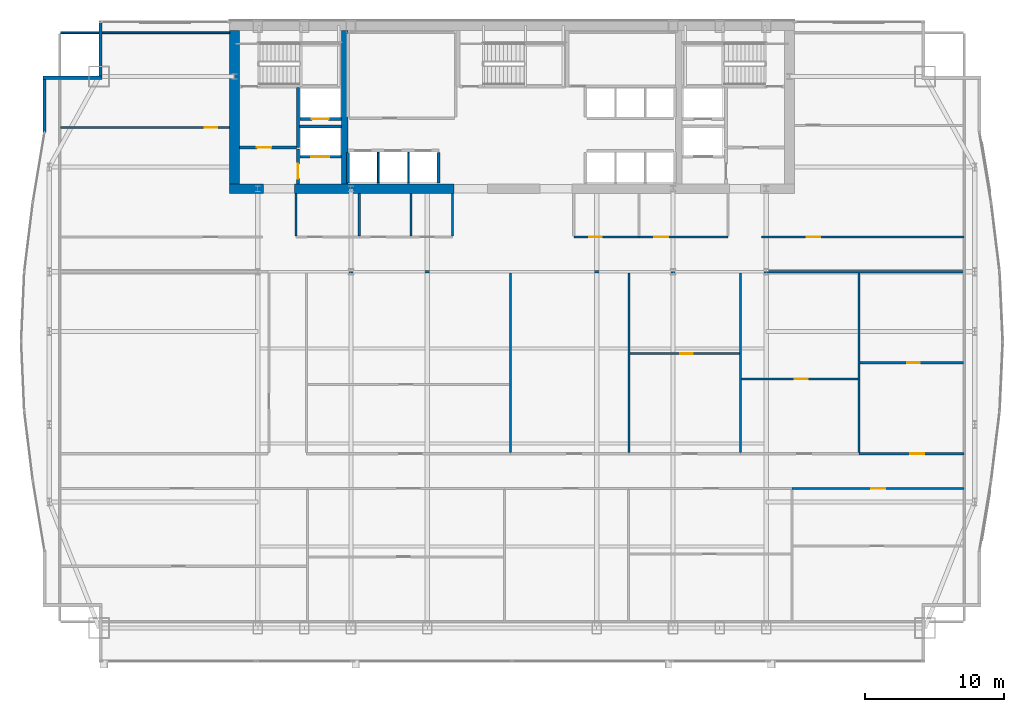
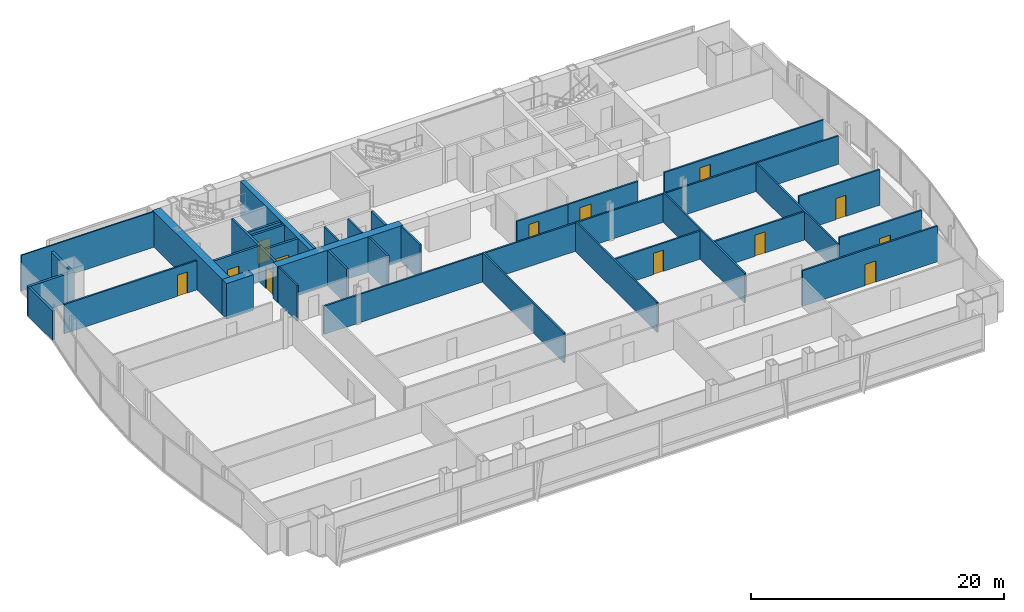
# One storey, part 27 of 31: 36 walls, 13 doors, 13 openings.
"""IFC4 building model written with IfcOpenShell, lengths in metres."""

from ifc_helpers import new_model, si_unit, direction, frame, frame_2d, origin, place, context, subcontext, project, spatial, rectangle, extrude, material, layer, layer_set, type_object, element, fill, save


model = new_model("IFC4")

# Units and contexts
model_context = context("Model", 3, precision=1e-05, world=origin(), true_north=direction((0.0, 1.0)))
body_context = subcontext(model_context, "Body", "Model", "MODEL_VIEW")
ifc_project = project(units=[si_unit("LENGTHUNIT", "METRE"), si_unit("AREAUNIT", "SQUARE_METRE"), si_unit("VOLUMEUNIT", "CUBIC_METRE"), si_unit("PLANEANGLEUNIT", "RADIAN"), si_unit("MASSUNIT", "GRAM", prefix="KILO")], contexts=[model_context])

# Site, building, storey
site_placement = place(None, origin())
site = spatial("IfcSite", under=ifc_project, at=site_placement, CompositionType="ELEMENT")
building_placement = place(site_placement, origin())
building = spatial("IfcBuilding", under=site, at=building_placement, Name="Khoronbel Lancet Exchange", CompositionType="ELEMENT")
storey_placement = place(building_placement, frame((0.0, 0.0, 121.800048828125)))
storey = spatial("IfcBuildingStorey", under=building, at=storey_placement, Name="L29", CompositionType="ELEMENT", Elevation=121.800048828125)

# Walls
ifc_material_1 = material(Name="Concrete C80/95", Category="concrete")
ifc_layer_1 = layer(ifc_material_1, 0.699951171875, Name="Concrete C80/95")
ifc_layer_set_1 = layer_set([ifc_layer_1], Name="Concrete C80/95")
wall_type_1 = type_object("IfcWallType", Name="WL-CW2", PredefinedType="SHEAR", material=ifc_layer_set_1)
wall_1_placement = place(storey_placement, frame((16.550048828125, 42.0, 0.0), z_axis=(0.0, 0.0, 1.0), x_axis=(0.0, 1.0, 0.0)))
element("IfcWall", 1, at=wall_1_placement, inside=storey, type_object=wall_type_1, Name="Level L29 rear core west shear wall", PredefinedType="SHEAR", context=body_context, shape_type="SweptSolid", body=[
    extrude(rectangle(XDim=11.0, YDim=0.699951171875, at=frame_2d((5.5, 0.0))), origin(), (0.0, 0.0, 1.0), 3.43994140625),
])
wall_2_placement = place(storey_placement, frame((18.64990234375, 41.64990234375, 0.0), z_axis=(0.0, 0.0, 1.0), x_axis=(-1.0, 0.0, 0.0)))
element("IfcWall", 2, at=wall_2_placement, inside=storey, type_object=wall_type_1, Name="Level L29 rear core south shear wall pier P1", PredefinedType="SHEAR", context=body_context, shape_type="SweptSolid", body=[
    extrude(rectangle(XDim=2.449951171875, YDim=0.699951171875, at=frame_2d((1.22509765625, 0.0))), origin(), (0.0, 0.0, 1.0), 3.43994140625),
])
wall_3_placement = place(storey_placement, frame((32.300048828125, 41.64990234375, 0.0), z_axis=(0.0, 0.0, 1.0), x_axis=(-1.0, 0.0, 0.0)))
element("IfcWall", 3, at=wall_3_placement, inside=storey, type_object=wall_type_1, Name="Level L29 rear core south shear wall pier P2", PredefinedType="SHEAR", context=body_context, shape_type="SweptSolid", body=[
    extrude(rectangle(XDim=11.449951171875, YDim=0.699951171875, at=frame_2d((5.72509765625, 0.0))), origin(), (0.0, 0.0, 1.0), 3.43994140625),
])
ifc_material_2 = material(Name="Precast concrete C40/50", Category="concrete")
ifc_layer_2 = layer(ifc_material_2, 0.25, Name="Precast concrete C40/50")
ifc_layer_set_2 = layer_set([ifc_layer_2], Name="Precast concrete C40/50")
wall_type_2 = type_object("IfcWallType", Name="WL-EXT250", PredefinedType="SOLIDWALL", material=ifc_layer_set_2)
wall_4_placement = place(storey_placement, frame((2.93994140625, 45.672607421875, 0.0), z_axis=(0.0, 0.0, 1.0), x_axis=(0.0, 1.0, 0.0)))
element("IfcWall", 4, at=wall_4_placement, inside=storey, type_object=wall_type_2, Name="Level L29 notched-corner limestone pier 10", PredefinedType="SOLIDWALL", context=body_context, shape_type="SweptSolid", body=[
    extrude(rectangle(XDim=3.827392578125, YDim=0.219970703125, at=frame_2d((1.91357421875, 0.0))), origin(), (0.0, 0.0, 1.0), 2.829833984375),
])
wall_5_placement = place(storey_placement, frame((2.830078125, 49.610107421875, 0.0), z_axis=(0.0, 0.0, 1.0), x_axis=(1.0, 0.0, 0.0)))
element("IfcWall", 5, at=wall_5_placement, inside=storey, type_object=wall_type_2, Name="Level L29 notched-corner limestone pier 11", PredefinedType="SOLIDWALL", context=body_context, shape_type="SweptSolid", body=[
    extrude(rectangle(XDim=4.219970703125, YDim=0.219970703125, at=frame_2d((2.10986328125, 0.0))), origin(), (0.0, 0.0, 1.0), 2.829833984375),
])
wall_6_placement = place(storey_placement, frame((6.93994140625, 49.719970703125, 0.0), z_axis=(0.0, 0.0, 1.0), x_axis=(0.0, 1.0, 0.0)))
element("IfcWall", 6, at=wall_6_placement, inside=storey, type_object=wall_type_2, Name="Level L29 notched-corner limestone pier 12", PredefinedType="SOLIDWALL", context=body_context, shape_type="SweptSolid", body=[
    extrude(rectangle(XDim=3.909912109375, YDim=0.219970703125, at=frame_2d((1.955078125, 0.0))), origin(), (0.0, 0.0, 1.0), 2.829833984375),
])
ifc_material_3 = material(Name="Acoustic Metal-Stud & Mineral-Wool Gypsum Partition 120 mm", Category="gypsum")
ifc_layer_3 = layer(ifc_material_3, 0.1201171875, Name="Acoustic Metal-Stud & Mineral-Wool Gypsum Partition 120 mm")
ifc_layer_set_3 = layer_set([ifc_layer_3], Name="Acoustic Metal-Stud & Mineral-Wool Gypsum Partition 120 mm")
wall_type_3 = type_object("IfcWallType", Name="WL-PRT120", PredefinedType="PARTITIONING", material=ifc_layer_set_3)
for number, where, z_axis, x_axis, name in (
    (7, (20.949951171875, 38.280029296875, 0.0), (0.0, 0.0, 1.0), (0.0, 1.0, 0.0), "Level L29 interior partition PW-WC-0"),
    (8, (25.5, 38.280029296875, 0.0), (0.0, 0.0, 1.0), (0.0, 1.0, 0.0), "Level L29 interior partition PW-WC-1"),
    (9, (29.199951171875, 38.280029296875, 0.0), (0.0, 0.0, 1.0), (0.0, 1.0, 0.0), "Level L29 interior partition PW-WC-2"),
    (10, (32.179931640625, 38.280029296875, 0.0), (0.0, 0.0, 1.0), (0.0, 1.0, 0.0), "Level L29 interior partition PW-WC-3"),
):
    element("IfcWall", number, at=place(storey_placement, frame(where, z_axis=z_axis, x_axis=x_axis)), inside=storey, type_object=wall_type_3, Name=name, PredefinedType="PARTITIONING", context=body_context, shape_type="SweptSolid", body=[
        extrude(rectangle(XDim=3.02001953125, YDim=0.14990234375, at=frame_2d((1.510009765625, 0.0))), origin(), (0.0, 0.0, 1.0), 3.43994140625),
    ])

# Wall, opening, door
wall_7_placement = place(storey_placement, frame((4.094970703125, 46.050048828125, 0.0), z_axis=(0.0, 0.0, 1.0), x_axis=(1.0, 0.0, 0.0)))
wall_7 = element("IfcWall", 11, at=wall_7_placement, inside=storey, type_object=wall_type_3, Name="Level L29 interior partition PW-NW-H", PredefinedType="PARTITIONING", context=body_context, shape_type="SweptSolid", body=[
    extrude(rectangle(XDim=12.10498046875, YDim=0.14990234375, at=frame_2d((6.052490234375, 0.0))), origin(), (0.0, 0.0, 1.0), 2.829833984375),
])
opening_1_placement = place(wall_7_placement, frame((10.320068359375, 0.0, 0.0)))
opening_1 = element("IfcOpeningElement", 12, at=opening_1_placement, cuts=wall_7, Name="Opening D5", PredefinedType="OPENING", context=body_context, shape_type="SweptSolid", body=[
    extrude(rectangle(XDim=0.89990234375, YDim=2.050048828125, at=frame_2d((0.449951171875, 1.02490234375))), frame((0.0, 0.0849609375, 0.0), z_axis=(0.0, -1.0, 0.0), x_axis=(1.0, 0.0, 0.0)), (0.0, 0.0, 1.0), 0.169921875),
])
ifc_material_4 = material(Name="Acoustic Timber Pantry & Support Door", Category="wood")
door_type_1 = type_object("IfcDoorType", Name="DR-D5", OperationType="NOTDEFINED", PredefinedType="DOOR", material=ifc_material_4)
door_1_placement = place(opening_1_placement, origin())
door_1 = element("IfcDoor", 13, at=door_1_placement, inside=storey, type_object=door_type_1, Name="NW north room door L29-1", OperationType="SINGLE_SWING_RIGHT", OverallHeight=2.050048828125, OverallWidth=0.89990234375, PredefinedType="DOOR", context=body_context, shape_type="SweptSolid", body=[
    extrude(rectangle(XDim=0.89990234375, YDim=2.050048828125, at=frame_2d((0.449951171875, 1.02490234375))), frame((0.0, 0.02490234375, 0.0), z_axis=(0.0, -1.0, 0.0), x_axis=(1.0, 0.0, 0.0)), (0.0, 0.0, 1.0), 0.050048828125),
])
fill(opening_1, door_1)

wall_8_placement = place(storey_placement, frame((44.90869140625, 29.827392578125, 0.0), z_axis=(0.0, 0.0, 1.0), x_axis=(1.0, 0.0, 0.0)))
wall_8 = element("IfcWall", 14, at=wall_8_placement, inside=storey, type_object=wall_type_3, Name="Level L29 interior partition PW-Z2N-H3", PredefinedType="PARTITIONING", context=body_context, shape_type="SweptSolid", body=[
    extrude(rectangle(XDim=7.853759765625, YDim=0.14990234375, at=frame_2d((3.9267578125, 0.0))), origin(), (0.0, 0.0, 1.0), 2.72998046875),
])
opening_2_placement = place(wall_8_placement, frame((3.606201171875, 0.0, 0.0)))
opening_2 = element("IfcOpeningElement", 15, at=opening_2_placement, cuts=wall_8, Name="Opening D5", PredefinedType="OPENING", context=body_context, shape_type="SweptSolid", body=[
    extrude(rectangle(XDim=0.89990234375, YDim=2.050048828125, at=frame_2d((0.449951171875, 1.02490234375))), frame((0.0, 0.0849609375, 0.0), z_axis=(0.0, -1.0, 0.0), x_axis=(1.0, 0.0, 0.0)), (0.0, 0.0, 1.0), 0.169921875),
])
door_2_placement = place(opening_2_placement, origin())
door_2 = element("IfcDoor", 16, at=door_2_placement, inside=storey, type_object=door_type_1, Name="Z2N inner door 3 L29-1", OperationType="SINGLE_SWING_LEFT", OverallHeight=2.050048828125, OverallWidth=0.89990234375, PredefinedType="DOOR", context=body_context, shape_type="SweptSolid", body=[
    extrude(rectangle(XDim=0.89990234375, YDim=2.050048828125, at=frame_2d((0.449951171875, 1.02490234375))), frame((0.0, 0.02490234375, 0.0), z_axis=(0.0, -1.0, 0.0), x_axis=(1.0, 0.0, 0.0)), (0.0, 0.0, 1.0), 0.050048828125),
])
fill(opening_2, door_2)

wall_9_placement = place(storey_placement, frame((52.92236328125, 28.00048828125, 0.0), z_axis=(0.0, 0.0, 1.0), x_axis=(1.0, 0.0, 0.0)))
wall_9 = element("IfcWall", 17, at=wall_9_placement, inside=storey, type_object=wall_type_3, Name="Level L29 interior partition PW-Z2N-H4", PredefinedType="PARTITIONING", context=body_context, shape_type="SweptSolid", body=[
    extrude(rectangle(XDim=8.3251953125, YDim=0.14990234375, at=frame_2d((4.16259765625, 0.0))), origin(), (0.0, 0.0, 1.0), 2.72998046875),
])
opening_3_placement = place(wall_9_placement, frame((3.818359375, 0.0, 0.0)))
opening_3 = element("IfcOpeningElement", 18, at=opening_3_placement, cuts=wall_9, Name="Opening D5", PredefinedType="OPENING", context=body_context, shape_type="SweptSolid", body=[
    extrude(rectangle(XDim=0.89990234375, YDim=2.050048828125, at=frame_2d((0.449951171875, 1.02490234375))), frame((0.0, 0.0849609375, 0.0), z_axis=(0.0, -1.0, 0.0), x_axis=(1.0, 0.0, 0.0)), (0.0, 0.0, 1.0), 0.169921875),
])
door_3_placement = place(opening_3_placement, origin())
door_3 = element("IfcDoor", 19, at=door_3_placement, inside=storey, type_object=door_type_1, Name="Z2N inner door 4 L29-1", OperationType="SINGLE_SWING_LEFT", OverallHeight=2.050048828125, OverallWidth=0.89990234375, PredefinedType="DOOR", context=body_context, shape_type="SweptSolid", body=[
    extrude(rectangle(XDim=0.89990234375, YDim=2.050048828125, at=frame_2d((0.449951171875, 1.02490234375))), frame((0.0, 0.02490234375, 0.0), z_axis=(0.0, -1.0, 0.0), x_axis=(1.0, 0.0, 0.0)), (0.0, 0.0, 1.0), 0.050048828125),
])
fill(opening_3, door_3)

wall_10_placement = place(storey_placement, frame((61.40771484375, 29.175048828125, 0.0), z_axis=(0.0, 0.0, 1.0), x_axis=(1.0, 0.0, 0.0)))
wall_10 = element("IfcWall", 20, at=wall_10_placement, inside=storey, type_object=wall_type_3, Name="Level L29 interior partition PW-Z2N-H5", PredefinedType="PARTITIONING", context=body_context, shape_type="SweptSolid", body=[
    extrude(rectangle(XDim=7.397216796875, YDim=0.14990234375, at=frame_2d((3.69873046875, 0.0))), origin(), (0.0, 0.0, 1.0), 3.43994140625),
])
opening_4_placement = place(wall_10_placement, frame((3.39404296875, 0.0, 0.0)))
opening_4 = element("IfcOpeningElement", 21, at=opening_4_placement, cuts=wall_10, Name="Opening D5", PredefinedType="OPENING", context=body_context, shape_type="SweptSolid", body=[
    extrude(rectangle(XDim=0.89990234375, YDim=2.050048828125, at=frame_2d((0.449951171875, 1.02490234375))), frame((0.0, 0.0849609375, 0.0), z_axis=(0.0, -1.0, 0.0), x_axis=(1.0, 0.0, 0.0)), (0.0, 0.0, 1.0), 0.169921875),
])
door_4_placement = place(opening_4_placement, origin())
door_4 = element("IfcDoor", 22, at=door_4_placement, inside=storey, type_object=door_type_1, Name="Z2N inner door 5 L29-1", OperationType="SINGLE_SWING_LEFT", OverallHeight=2.050048828125, OverallWidth=0.89990234375, PredefinedType="DOOR", context=body_context, shape_type="SweptSolid", body=[
    extrude(rectangle(XDim=0.89990234375, YDim=2.050048828125, at=frame_2d((0.449951171875, 1.02490234375))), frame((0.0, 0.02490234375, 0.0), z_axis=(0.0, -1.0, 0.0), x_axis=(1.0, 0.0, 0.0)), (0.0, 0.0, 1.0), 0.050048828125),
])
fill(opening_4, door_4)

# Walls
wall_11_placement = place(storey_placement, frame((4.094970703125, 52.840087890625, 0.0), z_axis=(0.0, 0.0, 1.0), x_axis=(1.0, 0.0, 0.0)))
element("IfcWall", 23, at=wall_11_placement, inside=storey, type_object=wall_type_3, Name="Level L29 interior partition PW-LIN-NW", PredefinedType="PARTITIONING", context=body_context, shape_type="SweptSolid", body=[
    extrude(rectangle(XDim=12.10498046875, YDim=0.1201171875, at=frame_2d((6.052490234375, 0.0))), origin(), (0.0, 0.0, 1.0), 3.43994140625),
])
ifc_material_5 = material(Name="Fire-Rated Metal-Stud & Mineral-Wool Gypsum Partition 120 mm", Category="gypsum")
ifc_layer_4 = layer(ifc_material_5, 0.1201171875, Name="Fire-Rated Metal-Stud & Mineral-Wool Gypsum Partition 120 mm")
ifc_layer_set_4 = layer_set([ifc_layer_4], Name="Fire-Rated Metal-Stud & Mineral-Wool Gypsum Partition 120 mm")
wall_type_4 = type_object("IfcWallType", Name="WL-PRT120F", PredefinedType="PARTITIONING", material=ifc_layer_set_4)
for number, where, z_axis, x_axis, name in (
    (24, (26.860107421875, 42.050048828125, 0.0), (0.0, 0.0, 1.0), (0.0, 1.0, 0.0), "Level L29 interior partition CW-PM-D1"),
    (25, (29.02001953125, 42.050048828125, 0.0), (0.0, 0.0, 1.0), (0.0, 1.0, 0.0), "Level L29 interior partition CW-PM-D2"),
):
    element("IfcWall", number, at=place(storey_placement, frame(where, z_axis=z_axis, x_axis=x_axis)), inside=storey, type_object=wall_type_4, Name=name, PredefinedType="PARTITIONING", context=body_context, shape_type="SweptSolid", body=[
        extrude(rectangle(XDim=2.199951171875, YDim=0.1201171875, at=frame_2d((1.10009765625, 0.0))), origin(), (0.0, 0.0, 1.0), 3.43994140625),
    ])

# Wall, opening, door
ifc_material_6 = material(Name="Fire-Rated Twin-Stud Acoustic Gypsum Partition 150 mm", Category="gypsum")
ifc_layer_5 = layer(ifc_material_6, 0.14990234375, Name="Fire-Rated Twin-Stud Acoustic Gypsum Partition 150 mm")
ifc_layer_set_5 = layer_set([ifc_layer_5], Name="Fire-Rated Twin-Stud Acoustic Gypsum Partition 150 mm")
wall_type_5 = type_object("IfcWallType", Name="WL-PRT150C", PredefinedType="PARTITIONING", material=ifc_layer_set_5)
wall_12_placement = place(storey_placement, frame((40.8798828125, 38.199951171875, 0.0), z_axis=(0.0, 0.0, 1.0), x_axis=(1.0, 0.0, 0.0)))
wall_12 = element("IfcWall", 26, at=wall_12_placement, inside=storey, type_object=wall_type_5, Name="Level L29 interior partition PW-NP-S1", PredefinedType="PARTITIONING", context=body_context, shape_type="SweptSolid", body=[
    extrude(rectangle(XDim=4.670166015625, YDim=0.14990234375, at=frame_2d((2.3349609375, 0.0))), origin(), (0.0, 0.0, 1.0), 2.72998046875),
])
opening_5_placement = place(wall_12_placement, frame((1.10009765625, 0.0, 0.0)))
opening_5 = element("IfcOpeningElement", 27, at=opening_5_placement, cuts=wall_12, Name="Opening D5", PredefinedType="OPENING", context=body_context, shape_type="SweptSolid", body=[
    extrude(rectangle(XDim=0.89990234375, YDim=2.050048828125, at=frame_2d((0.449951171875, 1.02490234375))), frame((0.0, 0.0849609375, 0.0), z_axis=(0.0, -1.0, 0.0), x_axis=(1.0, 0.0, 0.0)), (0.0, 0.0, 1.0), 0.169921875),
])
door_5_placement = place(opening_5_placement, origin())
door_5 = element("IfcDoor", 28, at=door_5_placement, inside=storey, type_object=door_type_1, Name="Floor refreshment pantry door L29-1", OperationType="SINGLE_SWING_RIGHT", OverallHeight=2.050048828125, OverallWidth=0.89990234375, PredefinedType="DOOR", context=body_context, shape_type="SweptSolid", body=[
    extrude(rectangle(XDim=0.89990234375, YDim=2.050048828125, at=frame_2d((0.449951171875, 1.02490234375))), frame((0.0, 0.02490234375, 0.0), z_axis=(0.0, -1.0, 0.0), x_axis=(1.0, 0.0, 0.0)), (0.0, 0.0, 1.0), 0.050048828125),
])
fill(opening_5, door_5)

wall_13_placement = place(storey_placement, frame((45.550048828125, 38.199951171875, 0.0), z_axis=(0.0, 0.0, 1.0), x_axis=(1.0, 0.0, 0.0)))
wall_13 = element("IfcWall", 29, at=wall_13_placement, inside=storey, type_object=wall_type_5, Name="Level L29 interior partition PW-NP-S2", PredefinedType="PARTITIONING", context=body_context, shape_type="SweptSolid", body=[
    extrude(rectangle(XDim=6.39990234375, YDim=0.14990234375, at=frame_2d((3.199951171875, 0.0))), origin(), (0.0, 0.0, 1.0), 2.72998046875),
])
opening_6_placement = place(wall_13_placement, frame((1.10009765625, 0.0, 0.0)))
opening_6 = element("IfcOpeningElement", 30, at=opening_6_placement, cuts=wall_13, Name="Opening D2", PredefinedType="OPENING", context=body_context, shape_type="SweptSolid", body=[
    extrude(rectangle(XDim=1.0, YDim=2.050048828125, at=frame_2d((0.5, 1.02490234375))), frame((0.0, 0.0849609375, 0.0), z_axis=(0.0, -1.0, 0.0), x_axis=(1.0, 0.0, 0.0)), (0.0, 0.0, 1.0), 0.169921875),
])
ifc_material_7 = material(Name="Acoustic Veneered Timber & Bronze Frame Door", Category="wood")
door_type_2 = type_object("IfcDoorType", Name="DR-D2", OperationType="NOTDEFINED", PredefinedType="DOOR", material=ifc_material_7)
door_6_placement = place(opening_6_placement, origin())
door_6 = element("IfcDoor", 31, at=door_6_placement, inside=storey, type_object=door_type_2, Name="Floor store door L29-1", OperationType="SINGLE_SWING_LEFT", OverallHeight=2.050048828125, OverallWidth=1.0, PredefinedType="DOOR", context=body_context, shape_type="SweptSolid", body=[
    extrude(rectangle(XDim=1.0, YDim=2.050048828125, at=frame_2d((0.5, 1.02490234375))), frame((0.0, 0.02490234375, 0.0), z_axis=(0.0, -1.0, 0.0), x_axis=(1.0, 0.0, 0.0)), (0.0, 0.0, 1.0), 0.050048828125),
])
fill(opening_6, door_6)

wall_14_placement = place(storey_placement, frame((54.35009765625, 38.199951171875, 0.0), z_axis=(0.0, 0.0, 1.0), x_axis=(1.0, 0.0, 0.0)))
wall_14 = element("IfcWall", 32, at=wall_14_placement, inside=storey, type_object=wall_type_5, Name="Level L29 interior partition PW-NE-S", PredefinedType="PARTITIONING", context=body_context, shape_type="SweptSolid", body=[
    extrude(rectangle(XDim=14.52001953125, YDim=0.14990234375, at=frame_2d((7.260009765625, 0.0))), origin(), (0.0, 0.0, 1.0), 2.72998046875),
])
opening_7_placement = place(wall_14_placement, frame((3.25, 0.0, 0.0)))
opening_7 = element("IfcOpeningElement", 33, at=opening_7_placement, cuts=wall_14, Name="Opening D1", PredefinedType="OPENING", context=body_context, shape_type="SweptSolid", body=[
    extrude(rectangle(XDim=0.949951171875, YDim=2.050048828125, at=frame_2d((0.47509765625, 1.02490234375))), frame((0.0, 0.0849609375, 0.0), z_axis=(0.0, -1.0, 0.0), x_axis=(1.0, 0.0, 0.0)), (0.0, 0.0, 1.0), 0.169921875),
])
door_type_3 = type_object("IfcDoorType", Name="DR-D1", OperationType="NOTDEFINED", PredefinedType="DOOR", material=ifc_material_7)
door_7_placement = place(opening_7_placement, origin())
door_7 = element("IfcDoor", 34, at=door_7_placement, inside=storey, type_object=door_type_3, Name="NE corner room door L29-1", OperationType="SINGLE_SWING_LEFT", OverallHeight=2.050048828125, OverallWidth=0.949951171875, PredefinedType="DOOR", context=body_context, shape_type="SweptSolid", body=[
    extrude(rectangle(XDim=0.949951171875, YDim=2.050048828125, at=frame_2d((0.47509765625, 1.02490234375))), frame((0.0, 0.02490234375, 0.0), z_axis=(0.0, -1.0, 0.0), x_axis=(1.0, 0.0, 0.0)), (0.0, 0.0, 1.0), 0.050048828125),
])
fill(opening_7, door_7)

# Walls
wall_15_placement = place(storey_placement, frame((21.81005859375, 35.699951171875, 0.0), z_axis=(0.0, 0.0, 1.0), x_axis=(1.0, 0.0, 0.0)))
element("IfcWall", 35, at=wall_15_placement, inside=storey, type_object=wall_type_5, Name="Level L29 interior partition PW-Z2-EN", PredefinedType="PARTITIONING", context=body_context, shape_type="SweptSolid", body=[
    extrude(rectangle(XDim=46.994873046875, YDim=0.14990234375, at=frame_2d((23.49755859375, 0.0))), origin(), (0.0, 0.0, 1.0), 2.72998046875),
])
for number, where, z_axis, x_axis, name in (
    (36, (36.343505859375, 22.735107421875, 0.0), (0.0, 0.0, 1.0), (0.0, 1.0, 0.0), "Level L29 interior partition PW-Z2N-V1"),
    (37, (44.82861328125, 22.735107421875, 0.0), (0.0, 0.0, 1.0), (0.0, 1.0, 0.0), "Level L29 interior partition PW-Z2N-V2"),
    (38, (52.84228515625, 22.735107421875, 0.0), (0.0, 0.0, 1.0), (0.0, 1.0, 0.0), "Level L29 interior partition PW-Z2N-V3"),
):
    element("IfcWall", number, at=place(storey_placement, frame(where, z_axis=z_axis, x_axis=x_axis)), inside=storey, type_object=wall_type_5, Name=name, PredefinedType="PARTITIONING", context=body_context, shape_type="SweptSolid", body=[
        extrude(rectangle(XDim=12.885009765625, YDim=0.14990234375, at=frame_2d((6.4423828125, 0.0))), origin(), (0.0, 0.0, 1.0), 2.8798828125),
    ])
wall_16_placement = place(storey_placement, frame((61.32763671875, 22.735107421875, 0.0), z_axis=(0.0, 0.0, 1.0), x_axis=(0.0, 1.0, 0.0)))
element("IfcWall", 39, at=wall_16_placement, inside=storey, type_object=wall_type_5, Name="Level L29 interior partition PW-Z2N-V4", PredefinedType="PARTITIONING", context=body_context, shape_type="SweptSolid", body=[
    extrude(rectangle(XDim=12.885009765625, YDim=0.14990234375, at=frame_2d((6.4423828125, 0.0))), origin(), (0.0, 0.0, 1.0), 2.72998046875),
])

# Wall, opening, door
ifc_material_8 = material(Name="Fire-Rated Twin-Stud Acoustic Gypsum Partition 160 mm", Category="gypsum")
ifc_layer_6 = layer(ifc_material_8, 0.159912109375, Name="Fire-Rated Twin-Stud Acoustic Gypsum Partition 160 mm")
ifc_layer_set_6 = layer_set([ifc_layer_6], Name="Fire-Rated Twin-Stud Acoustic Gypsum Partition 160 mm")
wall_type_6 = type_object("IfcWallType", Name="WL-PRT160C", PredefinedType="PARTITIONING", material=ifc_layer_set_6)
wall_17_placement = place(storey_placement, frame((56.533203125, 20.14990234375, 0.0), z_axis=(0.0, 0.0, 1.0), x_axis=(1.0, 0.0, 0.0)))
wall_17 = element("IfcWall", 40, at=wall_17_placement, inside=storey, type_object=wall_type_6, Name="Level L29 interior partition PW-Z2S-COR5", PredefinedType="PARTITIONING", context=body_context, shape_type="SweptSolid", body=[
    extrude(rectangle(XDim=12.3369140625, YDim=0.159912109375, at=frame_2d((6.16845703125, 0.0))), origin(), (0.0, 0.0, 1.0), 3.43994140625),
])
opening_8_placement = place(wall_17_placement, frame((5.681396484375, 0.0, 0.0)))
opening_8 = element("IfcOpeningElement", 41, at=opening_8_placement, cuts=wall_17, Name="Opening D2", PredefinedType="OPENING", context=body_context, shape_type="SweptSolid", body=[
    extrude(rectangle(XDim=1.0, YDim=2.050048828125, at=frame_2d((0.5, 1.02490234375))), frame((0.0, 0.08984375, 0.0), z_axis=(0.0, -1.0, 0.0), x_axis=(1.0, 0.0, 0.0)), (0.0, 0.0, 1.0), 0.179931640625),
])
door_8_placement = place(opening_8_placement, origin())
door_8 = element("IfcDoor", 42, at=door_8_placement, inside=storey, type_object=door_type_2, Name="Z2S bay 5 door L29-1", OperationType="SINGLE_SWING_LEFT", OverallHeight=2.050048828125, OverallWidth=1.0, PredefinedType="DOOR", context=body_context, shape_type="SweptSolid", body=[
    extrude(rectangle(XDim=1.0, YDim=2.050048828125, at=frame_2d((0.5, 1.02490234375))), frame((0.0, 0.02490234375, 0.0), z_axis=(0.0, -1.0, 0.0), x_axis=(1.0, 0.0, 0.0)), (0.0, 0.0, 1.0), 0.050048828125),
])
fill(opening_8, door_8)

wall_18_placement = place(storey_placement, frame((61.32763671875, 22.64990234375, 0.0), z_axis=(0.0, 0.0, 1.0), x_axis=(1.0, 0.0, 0.0)))
wall_18 = element("IfcWall", 43, at=wall_18_placement, inside=storey, type_object=wall_type_6, Name="Level L29 interior partition PW-Z2N-COR5", PredefinedType="PARTITIONING", context=body_context, shape_type="SweptSolid", body=[
    extrude(rectangle(XDim=7.54248046875, YDim=0.159912109375, at=frame_2d((3.771240234375, 0.0))), origin(), (0.0, 0.0, 1.0), 3.43994140625),
])
opening_9_placement = place(wall_18_placement, frame((3.667724609375, 0.0, 0.0)))
opening_9 = element("IfcOpeningElement", 44, at=opening_9_placement, cuts=wall_18, Name="Opening D2", PredefinedType="OPENING", context=body_context, shape_type="SweptSolid", body=[
    extrude(rectangle(XDim=1.0, YDim=2.050048828125, at=frame_2d((0.5, 1.02490234375))), frame((0.0, 0.08984375, 0.0), z_axis=(0.0, -1.0, 0.0), x_axis=(1.0, 0.0, 0.0)), (0.0, 0.0, 1.0), 0.179931640625),
])
door_9_placement = place(opening_9_placement, origin())
door_9 = element("IfcDoor", 45, at=door_9_placement, inside=storey, type_object=door_type_2, Name="Z2N bay 5 door L29-1", OperationType="SINGLE_SWING_RIGHT", OverallHeight=2.050048828125, OverallWidth=1.0, PredefinedType="DOOR", context=body_context, shape_type="SweptSolid", body=[
    extrude(rectangle(XDim=1.0, YDim=2.050048828125, at=frame_2d((0.5, 1.02490234375))), frame((0.0, 0.02490234375, 0.0), z_axis=(0.0, -1.0, 0.0), x_axis=(1.0, 0.0, 0.0)), (0.0, 0.0, 1.0), 0.050048828125),
])
fill(opening_9, door_9)

ifc_material_9 = material(Name="Autoclaved Aerated Concrete Blockwork 200 mm", Category="masonry")
ifc_layer_7 = layer(ifc_material_9, 0.199951171875, Name="Autoclaved Aerated Concrete Blockwork 200 mm")
ifc_layer_set_7 = layer_set([ifc_layer_7], Name="Autoclaved Aerated Concrete Blockwork 200 mm")
wall_type_7 = type_object("IfcWallType", Name="WL-PRT200", PredefinedType="PARTITIONING", material=ifc_layer_set_7)
wall_19_placement = place(storey_placement, frame((24.2099609375, 43.949951171875, 0.0), z_axis=(0.0, 0.0, 1.0), x_axis=(-1.0, 0.0, 0.0)))
wall_19 = element("IfcWall", 46, at=wall_19_placement, inside=storey, type_object=wall_type_7, Name="Level L29 elevator hoistway landing front wall SVLW", PredefinedType="PARTITIONING", context=body_context, shape_type="SweptSolid", body=[
    extrude(rectangle(XDim=2.969970703125, YDim=0.199951171875, at=frame_2d((1.48486328125, 0.0))), origin(), (0.0, 0.0, 1.0), 3.43994140625),
])
opening_10_placement = place(wall_19_placement, frame((0.860107421875, 0.0, 0.0)))
opening_10 = element("IfcOpeningElement", 47, at=opening_10_placement, cuts=wall_19, Name="Opening LD-SVL1", PredefinedType="OPENING", context=body_context, shape_type="SweptSolid", body=[
    extrude(rectangle(XDim=1.300048828125, YDim=2.179931640625, at=frame_2d((0.64990234375, 1.08984375))), frame((0.0, 0.10986328125, 0.0), z_axis=(0.0, -1.0, 0.0), x_axis=(1.0, 0.0, 0.0)), (0.0, 0.0, 1.0), 0.219970703125),
])
ifc_material_10 = material(Name="Heavy-Duty Bi-Parting Goods Lift Landing Door", Category="steel")
door_type_4 = type_object("IfcDoorType", Name="DR-LD-SVL", OperationType="NOTDEFINED", PredefinedType="DOOR", material=ifc_material_10)
door_10_placement = place(opening_10_placement, origin())
door_10 = element("IfcDoor", 48, at=door_10_placement, inside=storey, type_object=door_type_4, Name="Elevator landing sliding door LD-SVL1 L29", OperationType="SLIDING_TO_LEFT", OverallHeight=2.179931640625, OverallWidth=1.300048828125, PredefinedType="DOOR", context=body_context, shape_type="SweptSolid", body=[
    extrude(rectangle(XDim=1.300048828125, YDim=2.179931640625, at=frame_2d((0.64990234375, 1.08984375))), frame((0.0, 0.02490234375, 0.0), z_axis=(0.0, -1.0, 0.0), x_axis=(1.0, 0.0, 0.0)), (0.0, 0.0, 1.0), 0.050048828125),
])
fill(opening_10, door_10)

wall_20_placement = place(storey_placement, frame((24.2099609375, 46.64990234375, 0.0), z_axis=(0.0, 0.0, 1.0), x_axis=(-1.0, 0.0, 0.0)))
wall_20 = element("IfcWall", 49, at=wall_20_placement, inside=storey, type_object=wall_type_7, Name="Level L29 elevator hoistway landing front wall FFLW", PredefinedType="PARTITIONING", context=body_context, shape_type="SweptSolid", body=[
    extrude(rectangle(XDim=2.969970703125, YDim=0.199951171875, at=frame_2d((1.48486328125, 0.0))), origin(), (0.0, 0.0, 1.0), 3.43994140625),
])
opening_11_placement = place(wall_20_placement, frame((0.909912109375, 0.0, 0.0)))
opening_11 = element("IfcOpeningElement", 50, at=opening_11_placement, cuts=wall_20, Name="Opening LD-FFL1", PredefinedType="OPENING", context=body_context, shape_type="SweptSolid", body=[
    extrude(rectangle(XDim=1.199951171875, YDim=2.179931640625, at=frame_2d((0.60009765625, 1.08984375))), frame((0.0, 0.10986328125, 0.0), z_axis=(0.0, -1.0, 0.0), x_axis=(1.0, 0.0, 0.0)), (0.0, 0.0, 1.0), 0.219970703125),
])
ifc_material_11 = material(Name="Fire-Rated Stainless Bi-Parting Firefighting Lift Door", Category="steel")
door_type_5 = type_object("IfcDoorType", Name="DR-LD-FFL", OperationType="NOTDEFINED", PredefinedType="DOOR", material=ifc_material_11)
door_11_placement = place(opening_11_placement, origin())
door_11 = element("IfcDoor", 51, at=door_11_placement, inside=storey, type_object=door_type_5, Name="Elevator landing sliding door LD-FFL1 L29", OperationType="SLIDING_TO_LEFT", OverallHeight=2.179931640625, OverallWidth=1.199951171875, PredefinedType="DOOR", context=body_context, shape_type="SweptSolid", body=[
    extrude(rectangle(XDim=1.199951171875, YDim=2.179931640625, at=frame_2d((0.60009765625, 1.08984375))), frame((0.0, 0.02490234375, 0.0), z_axis=(0.0, -1.0, 0.0), x_axis=(1.0, 0.0, 0.0)), (0.0, 0.0, 1.0), 0.050048828125),
])
fill(opening_11, door_11)

# Wall
wall_21_placement = place(storey_placement, frame((21.10009765625, 44.60009765625, 0.0), z_axis=(0.0, 0.0, 1.0), x_axis=(0.0, 1.0, 0.0)))
element("IfcWall", 52, at=wall_21_placement, inside=storey, type_object=wall_type_7, Name="Level L29 interior partition CW-FFLW-E", PredefinedType="PARTITIONING", context=body_context, shape_type="SweptSolid", body=[
    extrude(rectangle(XDim=4.2998046875, YDim=0.199951171875, at=frame_2d((2.14990234375, 0.0))), origin(), (0.0, 0.0, 1.0), 3.43994140625),
])

# Wall, opening, door
wall_22_placement = place(storey_placement, frame((16.89990234375, 44.60009765625, 0.0), z_axis=(0.0, 0.0, 1.0), x_axis=(1.0, 0.0, 0.0)))
wall_22 = element("IfcWall", 53, at=wall_22_placement, inside=storey, type_object=wall_type_7, Name="Level L29 interior partition CW-FFLW-S", PredefinedType="PARTITIONING", context=body_context, shape_type="SweptSolid", body=[
    extrude(rectangle(XDim=4.10009765625, YDim=0.199951171875, at=frame_2d((2.050048828125, 0.0))), origin(), (0.0, 0.0, 1.0), 3.43994140625),
])
opening_12_placement = place(wall_22_placement, frame((1.25, 0.0, 0.0)))
opening_12 = element("IfcOpeningElement", 54, at=opening_12_placement, cuts=wall_22, Name="Opening FD1", PredefinedType="OPENING", context=body_context, shape_type="SweptSolid", body=[
    extrude(rectangle(XDim=1.050048828125, YDim=2.14990234375, at=frame_2d((0.52490234375, 1.074951171875))), frame((0.0, 0.10986328125, 0.0), z_axis=(0.0, -1.0, 0.0), x_axis=(1.0, 0.0, 0.0)), (0.0, 0.0, 1.0), 0.219970703125),
])
ifc_material_12 = material(Name="Fire-Rated Painted Steel Door Assembly", Category="steel")
door_type_6 = type_object("IfcDoorType", Name="DR-FD1", OperationType="NOTDEFINED", PredefinedType="DOOR", material=ifc_material_12)
door_12_placement = place(opening_12_placement, origin())
door_12 = element("IfcDoor", 55, at=door_12_placement, inside=storey, type_object=door_type_6, Name="West firefighting lobby FD90S door L29-1", OperationType="SINGLE_SWING_LEFT", OverallHeight=2.14990234375, OverallWidth=1.050048828125, PredefinedType="DOOR", context=body_context, shape_type="SweptSolid", body=[
    extrude(rectangle(XDim=1.050048828125, YDim=2.14990234375, at=frame_2d((0.52490234375, 1.074951171875))), frame((0.0, 0.02490234375, 0.0), z_axis=(0.0, -1.0, 0.0), x_axis=(1.0, 0.0, 0.0)), (0.0, 0.0, 1.0), 0.050048828125),
])
fill(opening_12, door_12)

# Wall
wall_23_placement = place(storey_placement, frame((21.199951171875, 46.1201171875, 0.0), z_axis=(0.0, 0.0, 1.0), x_axis=(1.0, 0.0, 0.0)))
element("IfcWall", 56, at=wall_23_placement, inside=storey, type_object=wall_type_7, Name="Level L29 interior partition CW-FFL1-S", PredefinedType="PARTITIONING", context=body_context, shape_type="SweptSolid", body=[
    extrude(rectangle(XDim=3.02001953125, YDim=0.199951171875, at=frame_2d((1.510009765625, 0.0))), origin(), (0.0, 0.0, 1.0), 3.43994140625),
])

# Wall, opening, door
wall_24_placement = place(storey_placement, frame((21.10009765625, 42.0, 0.0), z_axis=(0.0, 0.0, 1.0), x_axis=(0.0, 1.0, 0.0)))
wall_24 = element("IfcWall", 57, at=wall_24_placement, inside=storey, type_object=wall_type_7, Name="Level L29 interior partition CW-SVLW-W", PredefinedType="PARTITIONING", context=body_context, shape_type="SweptSolid", body=[
    extrude(rectangle(XDim=2.4951171875, YDim=0.199951171875, at=frame_2d((1.24755859375, 0.0))), origin(), (0.0, 0.0, 1.0), 3.43994140625),
])
opening_13_placement = place(wall_24_placement, frame((0.3798828125, 0.0, 0.0)))
opening_13 = element("IfcOpeningElement", 58, at=opening_13_placement, cuts=wall_24, Name="Opening FD1", PredefinedType="OPENING", context=body_context, shape_type="SweptSolid", body=[
    extrude(rectangle(XDim=1.050048828125, YDim=2.14990234375, at=frame_2d((0.52490234375, 1.074951171875))), frame((0.0, 0.10986328125, 0.0), z_axis=(0.0, -1.0, 0.0), x_axis=(1.0, 0.0, 0.0)), (0.0, 0.0, 1.0), 0.219970703125),
])
door_13_placement = place(opening_13_placement, origin())
door_13 = element("IfcDoor", 59, at=door_13_placement, inside=storey, type_object=door_type_6, Name="West service lift lobby door L29-1", OperationType="SINGLE_SWING_RIGHT", OverallHeight=2.14990234375, OverallWidth=1.050048828125, PredefinedType="DOOR", context=body_context, shape_type="SweptSolid", body=[
    extrude(rectangle(XDim=1.050048828125, YDim=2.14990234375, at=frame_2d((0.52490234375, 1.074951171875))), frame((0.0, 0.02490234375, 0.0), z_axis=(0.0, -1.0, 0.0), x_axis=(1.0, 0.0, 0.0)), (0.0, 0.0, 1.0), 0.050048828125),
])
fill(opening_13, door_13)

# Walls
for number, where, z_axis, x_axis, name in (
    (60, (24.699951171875, 42.050048828125, 0.0), (0.0, 0.0, 1.0), (0.0, 1.0, 0.0), "Level L29 interior partition CW-PM-W"),
    (61, (31.179931640625, 42.050048828125, 0.0), (0.0, 0.0, 1.0), (0.0, 1.0, 0.0), "Level L29 interior partition CW-PM-E"),
):
    element("IfcWall", number, at=place(storey_placement, frame(where, z_axis=z_axis, x_axis=x_axis)), inside=storey, type_object=wall_type_7, Name=name, PredefinedType="PARTITIONING", context=body_context, shape_type="SweptSolid", body=[
        extrude(rectangle(XDim=2.199951171875, YDim=0.199951171875, at=frame_2d((1.10009765625, 0.0))), origin(), (0.0, 0.0, 1.0), 3.43994140625),
    ])
ifc_layer_8 = layer(ifc_material_1, 0.449951171875, Name="Concrete C80/95")
ifc_layer_set_8 = layer_set([ifc_layer_8], Name="Concrete C80/95")
wall_type_8 = type_object("IfcWallType", Name="WL-SW1", PredefinedType="SHEAR", material=ifc_layer_set_8)
wall_25_placement = place(storey_placement, frame((24.449951171875, 42.0, 0.0), z_axis=(0.0, 0.0, 1.0), x_axis=(0.0, 1.0, 0.0)))
element("IfcWall", 62, at=wall_25_placement, inside=storey, type_object=wall_type_8, Name="Level L29 rear core internal spine shear wall IW", PredefinedType="SHEAR", context=body_context, shape_type="SweptSolid", body=[
    extrude(rectangle(XDim=11.0, YDim=0.449951171875, at=frame_2d((5.5, 0.0))), origin(), (0.0, 0.0, 1.0), 3.43994140625),
])

save(model, "model.ifc")
